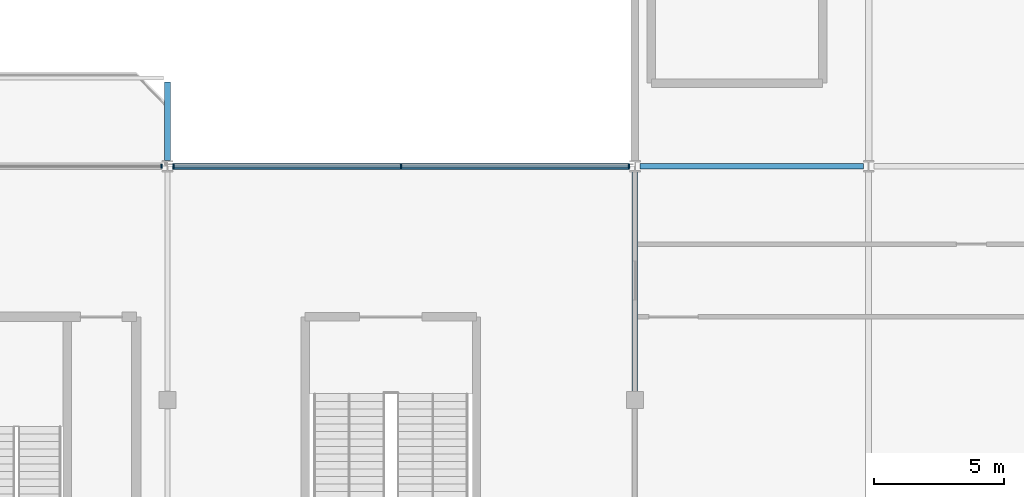
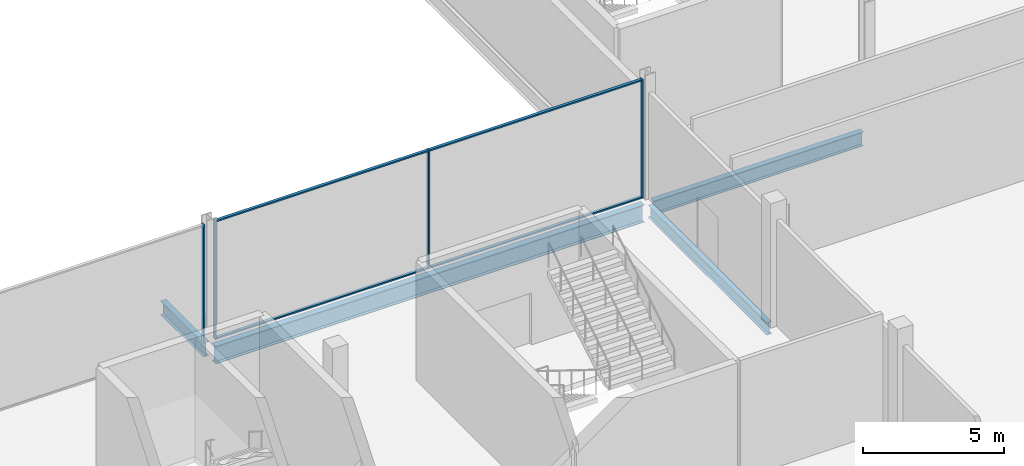
# One storey, part 50 of 113: 8 members, 4 beams, 2 elements without a shape of their own.
"""IFC4 building model written with IfcOpenShell, lengths in metres."""

from ifc_helpers import new_model, si_unit, direction, frame, origin, origin_2d, place, context, subcontext, project, spatial, rectangle, i_section, extrude, material, layer, layer_set, material_profile, profile_set, type_object, element, aggregate, save


model = new_model("IFC4")

# Units and contexts
model_context = context("Model", 3, precision=1e-05, world=origin(), true_north=direction((0.0, 1.0)))
body_context = subcontext(model_context, "Body", "Model", "MODEL_VIEW")
ifc_project = project(units=[si_unit("LENGTHUNIT", "METRE"), si_unit("AREAUNIT", "SQUARE_METRE"), si_unit("VOLUMEUNIT", "CUBIC_METRE"), si_unit("PLANEANGLEUNIT", "RADIAN"), si_unit("MASSUNIT", "GRAM", prefix="KILO")], contexts=[model_context])

# Site, building, storey
site_placement = place(None, origin())
site = spatial("IfcSite", under=ifc_project, at=site_placement, CompositionType="ELEMENT")
building_placement = place(site_placement, origin())
building = spatial("IfcBuilding", under=site, at=building_placement, Name="Kisiwana Market Hall", CompositionType="ELEMENT")
storey_placement = place(building_placement, frame((0.0, 0.0, 6.0)))
storey = spatial("IfcBuildingStorey", under=building, at=storey_placement, Name="L01", CompositionType="ELEMENT", Elevation=6.0)

# Beams
ifc_material_1 = material(Name="Steel S355", Category="steel")
ifc_material_profile_1 = material_profile(ifc_material_1, i_section(OverallWidth=0.2275390625, OverallDepth=0.6025390625, WebThickness=0.010498046875, FlangeThickness=0.014892578125, at=origin_2d()), Name="UB 610x229x101")
ifc_profile_set_1 = profile_set([ifc_material_profile_1], Name="Steel S355")
beam_type_1 = type_object("IfcBeamType", Name="BM-CANT-PROW", PredefinedType="BEAM", material=ifc_profile_set_1)
beam_1_placement = place(storey_placement, frame((135.0, 36.21337890625, -0.501220703125), z_axis=(0.0, 1.0, 0.0), x_axis=(-1.0, 0.0, 0.0)))
element("IfcBeam", 1, at=beam_1_placement, inside=storey, type_object=beam_type_1, Name="Gallery prow girder B-0593", PredefinedType="BEAM", context=body_context, shape_type="SweptSolid", body=[
    extrude(i_section(OverallWidth=0.2275390625, OverallDepth=0.6025390625, WebThickness=0.010498046875, FlangeThickness=0.014892578125, at=origin_2d()), origin(), (0.0, 0.0, 1.0), 3.03662109375),
])
ifc_material_2 = material(Name="Steel S355", Category="steel")
ifc_material_profile_2 = material_profile(ifc_material_2, i_section(OverallWidth=0.209228515625, OverallDepth=0.533203125, WebThickness=0.010009765625, FlangeThickness=0.015625, at=origin_2d()), Name="UB 533x210x92")
ifc_profile_set_2 = profile_set([ifc_material_profile_2], Name="Steel S355")
beam_type_2 = type_object("IfcBeamType", Name="BM-GIRD-UB533", PredefinedType="BEAM", material=ifc_profile_set_2)
beam_2_placement = place(storey_placement, frame((153.0, 27.345947265625, -0.5166015625), z_axis=(0.0, 1.0, 0.0), x_axis=(-1.0, 0.0, 0.0)))
element("IfcBeam", 2, at=beam_2_placement, inside=storey, type_object=beam_type_2, Name="Primary girder B-0394", PredefinedType="BEAM", context=body_context, shape_type="SweptSolid", body=[
    extrude(i_section(OverallWidth=0.209228515625, OverallDepth=0.533203125, WebThickness=0.010009765625, FlangeThickness=0.015625, at=origin_2d()), origin(), (0.0, 0.0, 1.0), 8.440673828125),
])
ifc_material_3 = material(Name="Steel S355", Category="steel")
ifc_material_profile_3 = material_profile(ifc_material_3, i_section(OverallWidth=0.22900390625, OverallDepth=0.6123046875, WebThickness=0.011962890625, FlangeThickness=0.01953125, at=origin_2d()), Name="UB 610x229x125")
ifc_profile_set_3 = profile_set([ifc_material_profile_3], Name="Steel S355")
beam_type_3 = type_object("IfcBeamType", Name="BM-GIRD-UB610H", PredefinedType="BEAM", material=ifc_profile_set_3)
beam_3_placement = place(storey_placement, frame((153.201904296875, 36.0, -0.55615234375), z_axis=(1.0, 0.0, 0.0), x_axis=(0.0, 1.0, 0.0)))
element("IfcBeam", 3, at=beam_3_placement, inside=storey, type_object=beam_type_3, Name="Floor beam B-0497", PredefinedType="BEAM", context=body_context, shape_type="SweptSolid", body=[
    extrude(i_section(OverallWidth=0.22900390625, OverallDepth=0.6123046875, WebThickness=0.011962890625, FlangeThickness=0.01953125, at=origin_2d()), origin(), (0.0, 0.0, 1.0), 8.59619140625),
])
ifc_material_4 = material(Name="Steel S355", Category="steel")
ifc_material_profile_4 = material_profile(ifc_material_4, i_section(OverallWidth=0.2666015625, OverallDepth=0.76220703125, WebThickness=0.014404296875, FlangeThickness=0.021484375, at=origin_2d()), Name="UB 762x267x173")
ifc_profile_set_4 = profile_set([ifc_material_profile_4], Name="Steel S355")
beam_type_4 = type_object("IfcBeamType", Name="BM-GIRD-UB762", PredefinedType="BEAM", material=ifc_profile_set_4)
beam_4_placement = place(storey_placement, frame((135.201904296875, 36.0, -0.631103515625), z_axis=(1.0, 0.0, 0.0), x_axis=(0.0, 1.0, 0.0)))
element("IfcBeam", 4, at=beam_4_placement, inside=storey, type_object=beam_type_4, Name="Floor beam B-0496", PredefinedType="BEAM", context=body_context, shape_type="SweptSolid", body=[
    extrude(i_section(OverallWidth=0.2666015625, OverallDepth=0.76220703125, WebThickness=0.014404296875, FlangeThickness=0.021484375, at=origin_2d()), origin(), (0.0, 0.0, 1.0), 17.59619140625),
])

# Curtain wall, member
ifc_material_5 = material(Name="Double-glazed solar-control low-E IGU", Category="glass")
ifc_layer = layer(ifc_material_5, 0.159912109375)
ifc_layer_set = layer_set([ifc_layer], Name="CW-FC-N-8100")
curtain_wall_type = type_object("IfcCurtainWallType", Name="CW-FC-N-8100", PredefinedType="USERDEFINED", material=ifc_layer_set)
curtain_wall_1_placement = place(storey_placement, origin())
curtain_wall_1 = element("IfcCurtainWall", 5, at=curtain_wall_1_placement, inside=storey, type_object=curtain_wall_type, Name="Unitised curtain wall CW-023 (L01)", ObjectType="UNITISED CURTAIN WALL", PredefinedType="USERDEFINED")
ifc_material_6 = material(Name="Aluminium alloy 6063-T6", Category="aluminium")
ifc_material_profile_5 = material_profile(ifc_material_6, rectangle(XDim=0.06005859375, YDim=0.159912109375, at=origin_2d()), Name="ALU MULLION 60x160")
ifc_profile_set_5 = profile_set([ifc_material_profile_5], Name="Aluminium alloy 6063-T6")
member_type_1 = type_object("IfcMemberType", Name="CW-MULL-60x160", PredefinedType="MULLION", material=ifc_profile_set_5)
member_1_placement = place(storey_placement, frame((134.763916015625, 36.0, 0.0), z_axis=(0.0, 0.0, 1.0), x_axis=(1.0, 0.0, 0.0)))
member_1 = element("IfcMember", 6, at=member_1_placement, type_object=member_type_1, Name="CW-023 mullion 3", PredefinedType="MULLION", context=body_context, shape_type="SweptSolid", body=[
    extrude(rectangle(XDim=0.06005859375, YDim=0.159912109375, at=origin_2d()), origin(), (0.0, 0.0, 1.0), 5.14990234375),
])
aggregate(curtain_wall_1, [member_1])

# Curtain wall, members
curtain_wall_2_placement = place(storey_placement, origin())
curtain_wall_2 = element("IfcCurtainWall", 7, at=curtain_wall_2_placement, inside=storey, type_object=curtain_wall_type, Name="Unitised curtain wall CW-024 (L01)", ObjectType="UNITISED CURTAIN WALL", PredefinedType="USERDEFINED")
member_2_placement = place(storey_placement, frame((135.236083984375, 36.0, 0.0), z_axis=(0.0, 0.0, 1.0), x_axis=(1.0, 0.0, 0.0)))
member_2 = element("IfcMember", 8, at=member_2_placement, type_object=member_type_1, Name="CW-024 mullion 1", PredefinedType="MULLION", context=body_context, shape_type="SweptSolid", body=[
    extrude(rectangle(XDim=0.06005859375, YDim=0.159912109375, at=origin_2d()), origin(), (0.0, 0.0, 1.0), 5.14990234375),
])
member_3_placement = place(storey_placement, frame((144.0, 36.0, 0.0), z_axis=(0.0, 0.0, 1.0), x_axis=(1.0, 0.0, 0.0)))
member_3 = element("IfcMember", 9, at=member_3_placement, type_object=member_type_1, Name="CW-024 mullion 2", PredefinedType="MULLION", context=body_context, shape_type="SweptSolid", body=[
    extrude(rectangle(XDim=0.06005859375, YDim=0.159912109375, at=origin_2d()), origin(), (0.0, 0.0, 1.0), 5.14990234375),
])
member_4_placement = place(storey_placement, frame((152.763916015625, 36.0, 0.0), z_axis=(0.0, 0.0, 1.0), x_axis=(1.0, 0.0, 0.0)))
member_4 = element("IfcMember", 10, at=member_4_placement, type_object=member_type_1, Name="CW-024 mullion 3", PredefinedType="MULLION", context=body_context, shape_type="SweptSolid", body=[
    extrude(rectangle(XDim=0.06005859375, YDim=0.159912109375, at=origin_2d()), origin(), (0.0, 0.0, 1.0), 5.14990234375),
])
ifc_material_7 = material(Name="Aluminium alloy 6063-T6", Category="aluminium")
ifc_material_profile_6 = material_profile(ifc_material_7, rectangle(XDim=0.1201171875, YDim=0.06005859375, at=origin_2d()), Name="ALU TRANSOM 60x120")
ifc_profile_set_6 = profile_set([ifc_material_profile_6], Name="Aluminium alloy 6063-T6")
member_type_2 = type_object("IfcMemberType", Name="CW-TRAN-60x120", PredefinedType="USERDEFINED", material=ifc_profile_set_6)
member_5_placement = place(storey_placement, frame((135.26611328125, 36.0, 0.030029296875), z_axis=(1.0, 0.0, 0.0), x_axis=(0.0, 1.0, 0.0)))
member_5 = element("IfcMember", 11, at=member_5_placement, type_object=member_type_2, Name="CW-024 transom 1.1", ObjectType="TRANSOM", PredefinedType="USERDEFINED", context=body_context, shape_type="SweptSolid", body=[
    extrude(rectangle(XDim=0.1201171875, YDim=0.06005859375, at=origin_2d()), origin(), (0.0, 0.0, 1.0), 8.703857421875),
])
member_6_placement = place(storey_placement, frame((135.26611328125, 36.0, 5.1201171875), z_axis=(1.0, 0.0, 0.0), x_axis=(0.0, 1.0, 0.0)))
member_6 = element("IfcMember", 12, at=member_6_placement, type_object=member_type_2, Name="CW-024 transom 1.2", ObjectType="TRANSOM", PredefinedType="USERDEFINED", context=body_context, shape_type="SweptSolid", body=[
    extrude(rectangle(XDim=0.1201171875, YDim=0.06005859375, at=origin_2d()), origin(), (0.0, 0.0, 1.0), 8.703857421875),
])
member_7_placement = place(storey_placement, frame((144.030029296875, 36.0, 0.030029296875), z_axis=(1.0, 0.0, 0.0), x_axis=(0.0, 1.0, 0.0)))
member_7 = element("IfcMember", 13, at=member_7_placement, type_object=member_type_2, Name="CW-024 transom 2.1", ObjectType="TRANSOM", PredefinedType="USERDEFINED", context=body_context, shape_type="SweptSolid", body=[
    extrude(rectangle(XDim=0.1201171875, YDim=0.06005859375, at=origin_2d()), origin(), (0.0, 0.0, 1.0), 8.703857421875),
])
member_8_placement = place(storey_placement, frame((144.030029296875, 36.0, 5.1201171875), z_axis=(1.0, 0.0, 0.0), x_axis=(0.0, 1.0, 0.0)))
member_8 = element("IfcMember", 14, at=member_8_placement, type_object=member_type_2, Name="CW-024 transom 2.2", ObjectType="TRANSOM", PredefinedType="USERDEFINED", context=body_context, shape_type="SweptSolid", body=[
    extrude(rectangle(XDim=0.1201171875, YDim=0.06005859375, at=origin_2d()), origin(), (0.0, 0.0, 1.0), 8.703857421875),
])
aggregate(curtain_wall_2, [member_2, member_3, member_4, member_5, member_6, member_7, member_8])

save(model, "model.ifc")
